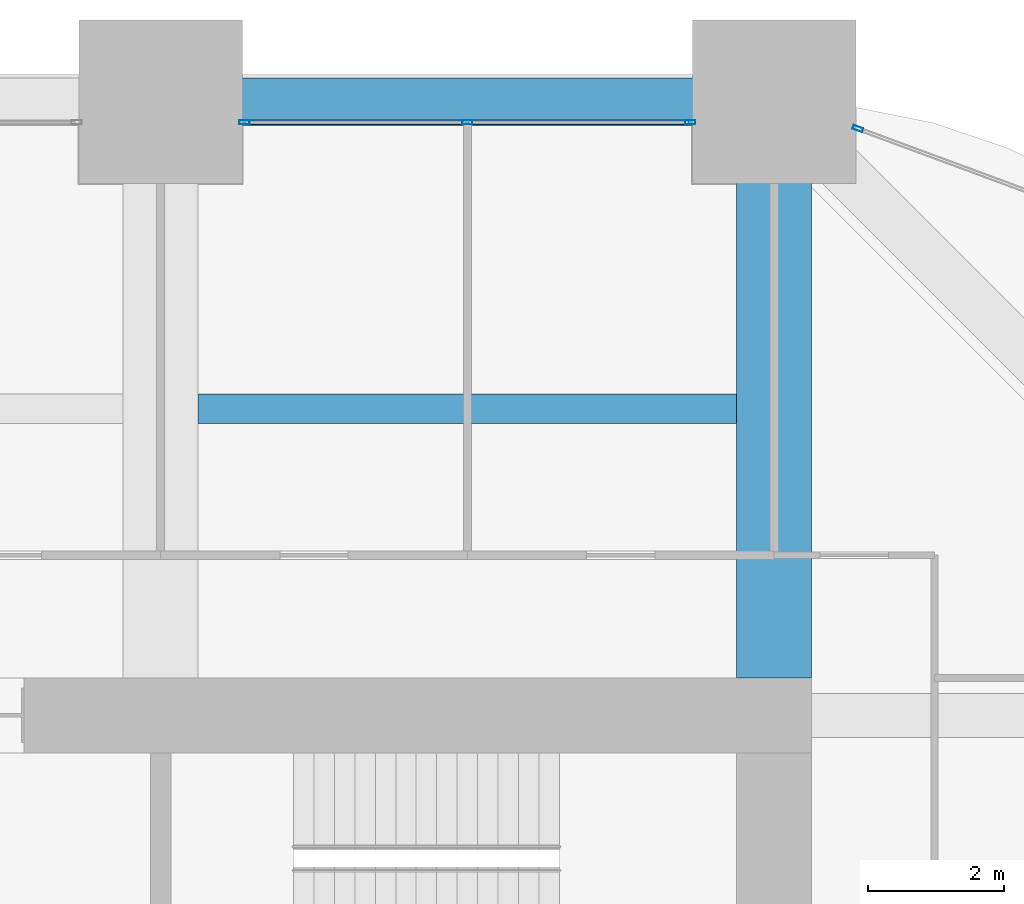
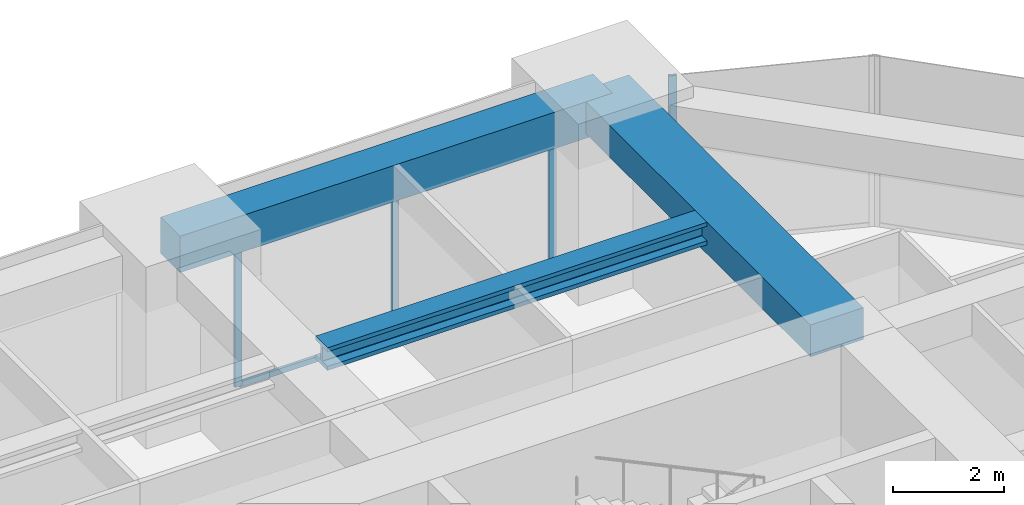
# One storey, part 26 of 34: 5 members, 3 beams, 2 elements without a shape of their own.
"""IFC4 building model written with IfcOpenShell, lengths in metres."""

from ifc_helpers import new_model, si_unit, direction, frame, origin, origin_2d, place, context, subcontext, project, spatial, rectangle, hollow_rectangle, i_section, extrude, material, material_profile, profile_set, type_object, element, aggregate, save


model = new_model("IFC4")

# Units and contexts
model_context = context("Model", 3, precision=1e-05, world=origin(), true_north=direction((0.0, 1.0)))
body_context = subcontext(model_context, "Body", "Model", "MODEL_VIEW")
ifc_project = project(units=[si_unit("LENGTHUNIT", "METRE"), si_unit("AREAUNIT", "SQUARE_METRE"), si_unit("VOLUMEUNIT", "CUBIC_METRE"), si_unit("PLANEANGLEUNIT", "RADIAN"), si_unit("MASSUNIT", "GRAM", prefix="KILO")], contexts=[model_context])

# Site, building, storey
site_placement = place(None, origin())
site = spatial("IfcSite", under=ifc_project, at=site_placement, CompositionType="ELEMENT")
building_placement = place(site_placement, origin())
building = spatial("IfcBuilding", under=site, at=building_placement, Name="Zorevar Civic Tower", CompositionType="ELEMENT")
storey_placement = place(building_placement, frame((0.0, 0.0, 170.199951171875)))
storey = spatial("IfcBuildingStorey", under=building, at=storey_placement, Name="L41", CompositionType="ELEMENT", Elevation=170.199951171875)

# Beam
ifc_material_1 = material(Name="Concrete C50/60", Category="concrete")
ifc_material_profile_1 = material_profile(ifc_material_1, rectangle(XDim=1.10009765625, YDim=0.699951171875, at=origin_2d()), Name="RC 1100x700")
ifc_profile_set_1 = profile_set([ifc_material_profile_1], Name="Concrete C50/60")
beam_type_1 = type_object("IfcBeamType", Name="Beam RC 1100x700", PredefinedType="BEAM", material=ifc_profile_set_1)
beam_1_placement = place(storey_placement, frame((45.0, 36.550048828125, 3.400146484375), z_axis=(0.0, 1.0, 0.0), x_axis=(-1.0, 0.0, 0.0)))
element("IfcBeam", 1, at=beam_1_placement, inside=storey, type_object=beam_type_1, Name="Girder L42", PredefinedType="BEAM", context=body_context, shape_type="SweptSolid", body=[
    extrude(rectangle(XDim=1.10009765625, YDim=0.699951171875, at=origin_2d()), origin(), (0.0, 0.0, 1.0), 8.449951171875),
])

# Curtain wall, members
ifc_material_2 = material(Name="Dark grey solar-control glass in black aluminium frame", Category="aluminium")
curtain_wall_type = type_object("IfcCurtainWallType", Name="Curtain wall CW4 high zone", PredefinedType="NOTDEFINED", material=ifc_material_2)
curtain_wall_1_placement = place(storey_placement, origin())
curtain_wall_1 = element("IfcCurtainWall", 2, at=curtain_wall_1_placement, inside=storey, type_object=curtain_wall_type, Name="CW4 L41", PredefinedType="NOTDEFINED")
ifc_material_3 = material(Name="Aluminium, black anodised", Category="aluminium")
ifc_material_profile_2 = material_profile(ifc_material_3, hollow_rectangle(XDim=0.06005859375, YDim=0.14990234375, WallThickness=0.00390625, at=origin_2d()), Name="AL 150x60x4")
ifc_profile_set_2 = profile_set([ifc_material_profile_2], Name="Aluminium, black anodised")
member_type_1 = type_object("IfcMemberType", Name="CW4 mullion AL 150x60x4", PredefinedType="MULLION", material=ifc_profile_set_2)
member_1_placement = place(storey_placement, frame((37.22998046875, 44.699951171875, 0.0), z_axis=(0.0, 0.0, 1.0), x_axis=(0.0, 1.0, 0.0)))
member_1 = element("IfcMember", 3, at=member_1_placement, type_object=member_type_1, Name="CW4 mullion 1", PredefinedType="MULLION", context=body_context, shape_type="SweptSolid", body=[
    extrude(hollow_rectangle(XDim=0.06005859375, YDim=0.14990234375, WallThickness=0.00390625, at=origin_2d()), origin(), (0.0, 0.0, 1.0), 2.949951171875),
])
member_2_placement = place(storey_placement, frame((40.5, 44.699951171875, 0.06005859375), z_axis=(0.0, 0.0, 1.0), x_axis=(0.0, 1.0, 0.0)))
member_2 = element("IfcMember", 4, at=member_2_placement, type_object=member_type_1, Name="CW4 mullion 2", PredefinedType="MULLION", context=body_context, shape_type="SweptSolid", body=[
    extrude(hollow_rectangle(XDim=0.06005859375, YDim=0.14990234375, WallThickness=0.00390625, at=origin_2d()), origin(), (0.0, 0.0, 1.0), 2.889892578125),
])
member_3_placement = place(storey_placement, frame((43.77001953125, 44.699951171875, 0.0), z_axis=(0.0, 0.0, 1.0), x_axis=(0.0, 1.0, 0.0)))
member_3 = element("IfcMember", 5, at=member_3_placement, type_object=member_type_1, Name="CW4 mullion 3", PredefinedType="MULLION", context=body_context, shape_type="SweptSolid", body=[
    extrude(hollow_rectangle(XDim=0.06005859375, YDim=0.14990234375, WallThickness=0.00390625, at=origin_2d()), origin(), (0.0, 0.0, 1.0), 2.949951171875),
])

# Curtain wall, member
curtain_wall_2_placement = place(storey_placement, origin())
curtain_wall_2 = element("IfcCurtainWall", 6, at=curtain_wall_2_placement, inside=storey, type_object=curtain_wall_type, Name="CW4 L41", PredefinedType="NOTDEFINED")
member_4_placement = place(storey_placement, frame((46.22802734375, 44.6064453125, 0.0), z_axis=(0.0, 0.0, 1.0), x_axis=(-0.346704012033, -0.937974588163, 0.0)))
member_4 = element("IfcMember", 7, at=member_4_placement, type_object=member_type_1, Name="CW4 mullion 2", PredefinedType="MULLION", context=body_context, shape_type="SweptSolid", body=[
    extrude(hollow_rectangle(XDim=0.06005859375, YDim=0.14990234375, WallThickness=0.00390625, at=origin_2d()), origin(), (0.0, 0.0, 1.0), 3.75),
])
aggregate(curtain_wall_2, [member_4])

# Member
ifc_material_4 = material(Name="Aluminium, black anodised", Category="aluminium")
ifc_material_profile_3 = material_profile(ifc_material_4, hollow_rectangle(XDim=0.06005859375, YDim=0.1201171875, WallThickness=0.0029296875, at=origin_2d()), Name="AL 120x60x3")
ifc_profile_set_3 = profile_set([ifc_material_profile_3], Name="Aluminium, black anodised")
member_type_2 = type_object("IfcMemberType", Name="CW4 transom AL 120x60x3", PredefinedType="USERDEFINED", material=ifc_profile_set_3)
member_5_placement = place(storey_placement, frame((37.260009765625, 44.699951171875, 0.030029296875), z_axis=(1.0, 0.0, 0.0), x_axis=(0.0, 1.0, 0.0)))
member_5 = element("IfcMember", 8, at=member_5_placement, type_object=member_type_2, Name="CW4 sill transom", ObjectType="TRANSOM", PredefinedType="USERDEFINED", context=body_context, shape_type="SweptSolid", body=[
    extrude(hollow_rectangle(XDim=0.06005859375, YDim=0.1201171875, WallThickness=0.0029296875, at=origin_2d()), origin(), (0.0, 0.0, 1.0), 6.47998046875),
])

aggregate(curtain_wall_1, [member_1, member_2, member_3, member_5])

# Beams
ifc_material_5 = material(Name="Steel S460M (HISTAR 460)", Category="steel")
ifc_material_profile_4 = material_profile(ifc_material_5, i_section(OverallWidth=0.431884765625, OverallDepth=0.498046875, WebThickness=0.0556640625, FlangeThickness=0.0888671875, FilletRadius=0.014892578125, at=origin_2d()), Name="HD 400x744")
ifc_profile_set_4 = profile_set([ifc_material_profile_4], Name="Steel S460M (HISTAR 460)")
beam_type_2 = type_object("IfcBeamType", Name="Core bay beam HD 400x744", PredefinedType="BEAM", material=ifc_profile_set_4)
beam_2_placement = place(storey_placement, frame((36.550048828125, 40.5, 3.5009765625), z_axis=(1.0, 0.0, 0.0), x_axis=(0.0, 1.0, 0.0)))
element("IfcBeam", 9, at=beam_2_placement, inside=storey, type_object=beam_type_2, Name="Secondary beam L42", PredefinedType="BEAM", context=body_context, shape_type="SweptSolid", body=[
    extrude(i_section(OverallWidth=0.431884765625, OverallDepth=0.498046875, WebThickness=0.0556640625, FlangeThickness=0.0888671875, FilletRadius=0.014892578125, at=origin_2d()), origin(), (0.0, 0.0, 1.0), 7.89990234375),
])
ifc_material_6 = material(Name="Concrete C50/60", Category="concrete")
ifc_material_profile_5 = material_profile(ifc_material_6, rectangle(XDim=0.699951171875, YDim=0.800048828125, at=origin_2d()), Name="RC 700x800")
ifc_profile_set_5 = profile_set([ifc_material_profile_5], Name="Concrete C50/60")
beam_type_3 = type_object("IfcBeamType", Name="Edge beam RC 700x800", PredefinedType="SPANDREL", material=ifc_profile_set_5)
beam_3_placement = place(storey_placement, frame((36.0, 45.0, 3.35009765625), z_axis=(1.0, 0.0, 0.0), x_axis=(0.0, 1.0, 0.0)))
element("IfcBeam", 10, at=beam_3_placement, inside=storey, type_object=beam_type_3, Name="Edge beam L42", PredefinedType="SPANDREL", context=body_context, shape_type="SweptSolid", body=[
    extrude(rectangle(XDim=0.699951171875, YDim=0.800048828125, at=origin_2d()), origin(), (0.0, 0.0, 1.0), 9.0),
])

save(model, "model.ifc")
